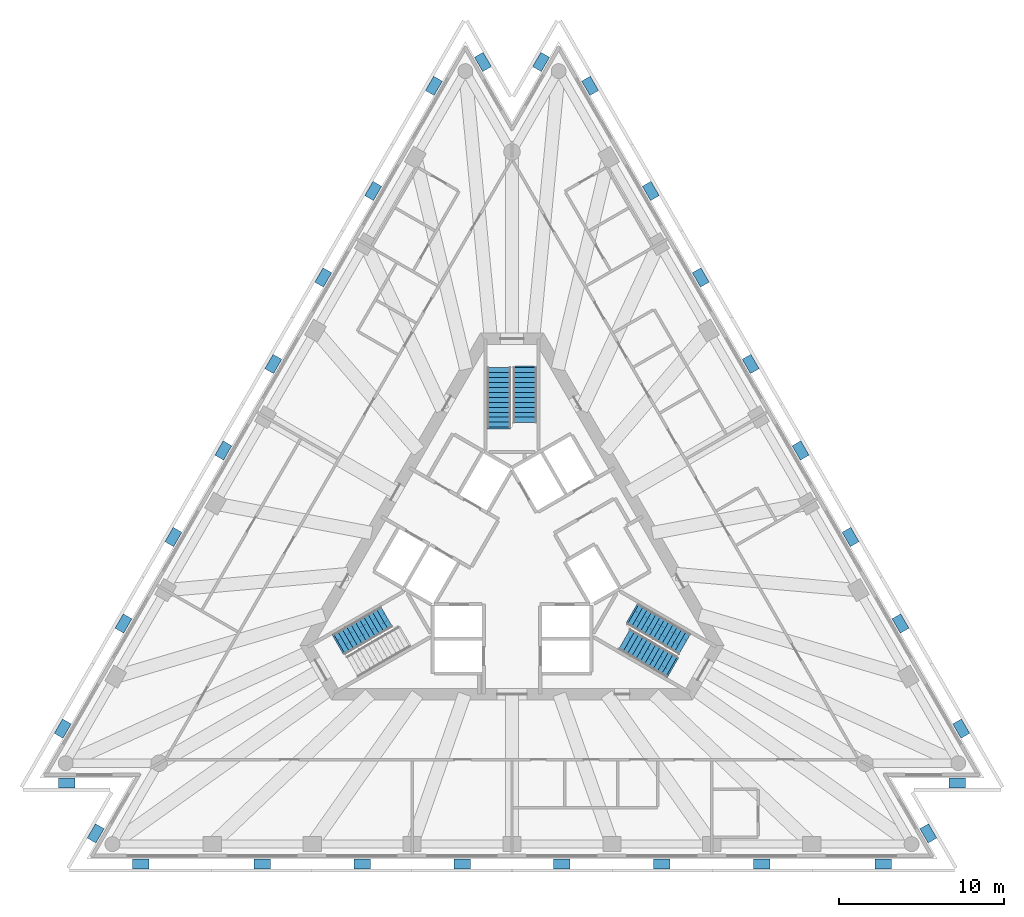
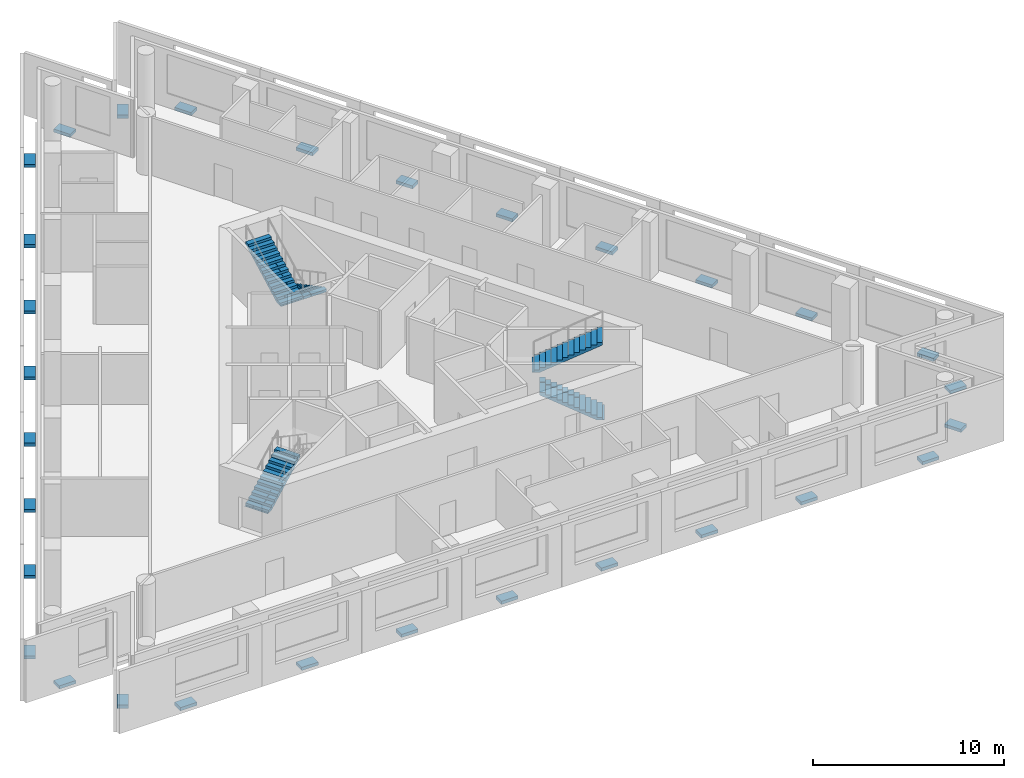
# One storey, part 7 of 9: 30 discrete accessories, 5 stair flights, 3 elements without a shape of their own.
"""IFC4 building model written with IfcOpenShell, lengths in metres."""

import ifcopenshell
import ifcopenshell.guid

model = None  # the IFC model being written
_history = None  # IfcOwnerHistory: only IFC2X3 demands one
_inside = {}  # id of a spatial element -> (the spatial element, [elements in it])
_under = {}  # id of a project, library or spatial element -> (it, [spatial elements below it])
_declared = {}  # id of a project -> (the project, [libraries it declares])
_typed = {}  # id of a type object -> (the type object, [elements of that type])
_made_of = {}  # id of a material, layer set ... -> (it, [elements and type objects made of it])


def new_model(schema):
    """Start an empty IFC model of exactly this schema.

    Asked for "IFC4X3", IfcOpenShell would pick the latest addendum, in which some entities
    have other attributes; the version numbers below select the first issue.
    IFC2X3 requires an IfcOwnerHistory on every rooted entity: one is made here for all.
    """
    global model, _history
    if schema == "IFC4X3":
        model = ifcopenshell.file(schema_version=(4, 3, 0, 0))
    else:
        model = ifcopenshell.file(schema=schema)
    _inside.clear()
    _under.clear()
    _declared.clear()
    _typed.clear()
    _made_of.clear()
    _history = None
    if model.schema == "IFC2X3":
        org = make("IfcOrganization", Name="unknown")
        user = make(
            "IfcPersonAndOrganization",
            ThePerson=make("IfcPerson", FamilyName="unknown"),
            TheOrganization=org,
        )
        app = make(
            "IfcApplication",
            ApplicationDeveloper=org,
            Version="unknown",
            ApplicationFullName="unknown",
            ApplicationIdentifier="unknown",
        )
        _history = make(
            "IfcOwnerHistory",
            OwningUser=user,
            OwningApplication=app,
            ChangeAction="ADDED",
            CreationDate=0,
        )
    return model


def make(cls, **values):
    """One entity of the class cls with the attributes given. An attribute that is None is left unset."""
    return model.create_entity(
        cls, **{name: value for name, value in values.items() if value is not None}
    )


def rooted(cls, **values):
    """An entity with a GlobalId (a new one), such as an element, a storey or a relation."""
    return make(cls, GlobalId=ifcopenshell.guid.new(), OwnerHistory=_history, **values)


def si_unit(unit_type, name, prefix=None):
    """IfcSIUnit, for example si_unit("LENGTHUNIT", "METRE", prefix="MILLI")."""
    return make("IfcSIUnit", UnitType=unit_type, Prefix=prefix, Name=name)


def assignment(units):
    """IfcUnitAssignment: the units of a project."""
    return None if units is None else make("IfcUnitAssignment", Units=units)


def point(xyz):
    """IfcCartesianPoint."""
    return None if xyz is None else make("IfcCartesianPoint", Coordinates=xyz)


def direction(xyz):
    """IfcDirection."""
    return None if xyz is None else make("IfcDirection", DirectionRatios=xyz)


def frame(location, z_axis=None, x_axis=None):
    """IfcAxis2Placement3D, a coordinate frame: its origin and axes. An axis left out is left unset."""
    return make(
        "IfcAxis2Placement3D",
        Location=point(location),
        Axis=direction(z_axis),
        RefDirection=direction(x_axis),
    )


def frame_2d(location, x_axis=None):
    """IfcAxis2Placement2D, a coordinate frame in the plane: its origin and x axis."""
    return make(
        "IfcAxis2Placement2D", Location=point(location), RefDirection=direction(x_axis)
    )


def origin():
    """The frame at (0, 0, 0) with its axes left unset."""
    return frame((0.0, 0.0, 0.0))


def origin_2d():
    """The frame at (0, 0) in the plane with its x axis left unset."""
    return frame_2d((0.0, 0.0))


def place(relative_to, where):
    """IfcLocalPlacement: puts the frame where relative to a parent placement (None: the world)."""
    return make(
        "IfcLocalPlacement", PlacementRelTo=relative_to, RelativePlacement=where
    )


def context(
    kind, dimensions, precision=None, world=None, true_north=None, identifier=None
):
    """IfcGeometricRepresentationContext, for example the 3D "Model" context."""
    return make(
        "IfcGeometricRepresentationContext",
        ContextIdentifier=identifier,
        ContextType=kind,
        CoordinateSpaceDimension=dimensions,
        Precision=precision,
        WorldCoordinateSystem=world,
        TrueNorth=true_north,
    )


def subcontext(parent, identifier, kind, view, scale=None):
    """IfcGeometricRepresentationSubContext, for example "Body" below "Model"."""
    return make(
        "IfcGeometricRepresentationSubContext",
        ContextIdentifier=identifier,
        ContextType=kind,
        ParentContext=parent,
        TargetScale=scale,
        TargetView=view,
    )


def project(units=None, contexts=None):
    """IfcProject with its units and contexts."""
    return rooted(
        "IfcProject",
        Name="project",
        RepresentationContexts=contexts,
        UnitsInContext=assignment(units),
    )


def spatial(cls, under=None, at=None, **own):
    """A site, building, storey or space (cls), placed at a placement, below another one or the project."""
    s = rooted(cls, ObjectPlacement=at, **own)
    if under is not None:
        _under.setdefault(under.id(), (under, []))[1].append(s)
    return s


def polyline(points):
    """IfcPolyline through the points."""
    return make("IfcPolyline", Points=[point(p) for p in points])


def profile(cls, at=None, kind="AREA", **sizes):
    """A parametric profile (cls). Its sizes go by their IFC names, for example OverallWidth=200.0."""
    return make(cls, ProfileType=kind, Position=at, **sizes)


def rectangle(**sizes):
    """IfcRectangleProfileDef."""
    return profile("IfcRectangleProfileDef", **sizes)


def outline(outer, holes=None, kind="AREA"):
    """IfcArbitraryClosedProfileDef: a profile drawn as a closed curve; with holes, ...WithVoids."""
    if holes is None:
        return make("IfcArbitraryClosedProfileDef", ProfileType=kind, OuterCurve=outer)
    return make(
        "IfcArbitraryProfileDefWithVoids",
        ProfileType=kind,
        OuterCurve=outer,
        InnerCurves=holes,
    )


def extrude(swept, where, along, depth):
    """IfcExtrudedAreaSolid: the profile swept, set in the frame where, extruded along a direction by depth."""
    return make(
        "IfcExtrudedAreaSolid",
        SweptArea=swept,
        Position=where,
        ExtrudedDirection=direction(along),
        Depth=depth,
    )


def shape(context_of_items, identifier, shape_type, items):
    """IfcShapeRepresentation: the items that make up one representation, for example the "Body"."""
    return make(
        "IfcShapeRepresentation",
        ContextOfItems=context_of_items,
        RepresentationIdentifier=identifier,
        RepresentationType=shape_type,
        Items=items,
    )


def material(Name=None, Category=None):
    """IfcMaterial."""
    return make("IfcMaterial", Name=Name, Category=Category)


def made_of(thing, what):
    """Note that an element or type object is made of a material, layer set ...; save() writes the relation."""
    if what is not None:
        _made_of.setdefault(what.id(), (what, []))[1].append(thing)
    return thing


def type_object(cls, material=None, **own):
    """A type object (cls), such as IfcWallType, which elements share."""
    return made_of(rooted(cls, **own), material)


def element(
    cls,
    number,
    at=None,
    inside=None,
    cuts=None,
    type_object=None,
    material=None,
    context=None,
    identifier="Body",
    shape_type=None,
    held_by="IfcProductDefinitionShape",
    body=None,
    shapes=None,
    **own,
):
    """One element of the class cls, such as IfcWall. Its Tag is "e" and its number.

    at: its placement. inside: the storey or other place that contains it. cuts: it is an
    opening in that element (IfcRelVoidsElement). A single representation is given by context,
    identifier, shape_type and body (its items); several are given by shapes. held_by: the class
    of the entity that holds the representations. save() writes the other relations.
    """
    e = rooted(cls, Tag="e%d" % number, ObjectPlacement=at, **own)
    if body is not None:
        shapes = [shape(context, identifier, shape_type, body)]
    if shapes is not None:
        e.Representation = make(held_by, Representations=shapes)
    if inside is not None:
        _inside.setdefault(inside.id(), (inside, []))[1].append(e)
    if cuts is not None:
        rooted(
            "IfcRelVoidsElement", RelatingBuildingElement=cuts, RelatedOpeningElement=e
        )
    if type_object is not None:
        _typed.setdefault(type_object.id(), (type_object, []))[1].append(e)
    return made_of(e, material)


def aggregate(whole, parts):
    """IfcRelAggregates: a whole, such as a stair, and the parts it consists of."""
    return rooted("IfcRelAggregates", RelatingObject=whole, RelatedObjects=parts)


def save(model, path):
    """Write the relations noted so far, then the file.

    IfcRelAggregates (storeys below a building ...), IfcRelContainedInSpatialStructure (elements
    in a storey), IfcRelDefinesByType, IfcRelAssociatesMaterial and IfcRelDeclares: one each for
    every whole, place, type object, material and project.
    """
    for whole, parts in _under.values():
        aggregate(whole, parts)
    for where, things in _inside.values():
        rooted(
            "IfcRelContainedInSpatialStructure",
            RelatedElements=things,
            RelatingStructure=where,
        )
    for kind, things in _typed.values():
        rooted("IfcRelDefinesByType", RelatedObjects=things, RelatingType=kind)
    for what, things in _made_of.values():
        rooted("IfcRelAssociatesMaterial", RelatedObjects=things, RelatingMaterial=what)
    for by, libraries in _declared.values():
        rooted("IfcRelDeclares", RelatingContext=by, RelatedDefinitions=libraries)
    model.write(path)


model = new_model("IFC4")

# Units and contexts
model_context = context("Model", 3, precision=1e-05, world=origin(), true_north=direction((0.0, 1.0)))
body_context = subcontext(model_context, "Body", "Model", "MODEL_VIEW")
ifc_project = project(units=[si_unit("LENGTHUNIT", "METRE"), si_unit("AREAUNIT", "SQUARE_METRE"), si_unit("VOLUMEUNIT", "CUBIC_METRE"), si_unit("PLANEANGLEUNIT", "RADIAN"), si_unit("MASSUNIT", "GRAM", prefix="KILO")], contexts=[model_context])

# Site, building, storey
site_placement = place(None, origin())
site = spatial("IfcSite", under=ifc_project, at=site_placement, CompositionType="ELEMENT")
building_placement = place(site_placement, origin())
building = spatial("IfcBuilding", under=site, at=building_placement, Name="Triada Interchange Tower", CompositionType="ELEMENT")
storey_placement = place(building_placement, frame((0.0, 0.0, 219.300048828125)))
storey = spatial("IfcBuildingStorey", under=building, at=storey_placement, Name="L51", CompositionType="ELEMENT", Elevation=219.300048828125)

# Stair, stair flights
ifc_material_1 = material(Name="Concrete C35/45", Category="concrete")
stair_type = type_object("IfcStairType", Name="HALF TURN STAIR 1400", PredefinedType="HALF_TURN_STAIR", material=ifc_material_1)
stair_1_placement = place(storey_placement, origin())
stair_1 = element("IfcStair", 1, at=stair_1_placement, inside=storey, type_object=stair_type, Name="Exit stair S50-1", PredefinedType="HALF_TURN_STAIR")
stair_flight_type = type_object("IfcStairFlightType", Name="STRAIGHT STAIR FLIGHT 1400", PredefinedType="STRAIGHT", material=ifc_material_1)
stair_flight_1_placement = place(storey_placement, frame((0.800048828125, 11.60009765625, 0.0), z_axis=(0.0, 0.0, 1.0), x_axis=(0.0, -1.0, 0.0)))
stair_flight_1 = element("IfcStairFlight", 2, at=stair_flight_1_placement, type_object=stair_flight_type, Name="S50-1 flight 1", NumberOfRisers=12, NumberOfTreads=11, PredefinedType="STRAIGHT", RiserHeight=0.16, TreadLength=0.3, context=body_context, shape_type="SweptSolid", body=[
    extrude(outline(polyline([(-0.10009765625, 0.0), (-0.10009765625, 0.02001953125), (0.0, 0.02001953125), (0.0, 0.159912109375), (0.300048828125, 0.159912109375), (0.300048828125, 0.320068359375), (0.60009765625, 0.320068359375), (0.60009765625, 0.47998046875), (0.89990234375, 0.47998046875), (0.89990234375, 0.639892578125), (1.199951171875, 0.639892578125), (1.199951171875, 0.800048828125), (1.5, 0.800048828125), (1.5, 0.9599609375), (1.800048828125, 0.9599609375), (1.800048828125, 1.1201171875), (2.10009765625, 1.1201171875), (2.10009765625, 1.280029296875), (2.39990234375, 1.280029296875), (2.39990234375, 1.43994140625), (2.699951171875, 1.43994140625), (2.699951171875, 1.60009765625), (3.0, 1.60009765625), (3.0, 1.760009765625), (3.300048828125, 1.760009765625), (3.303955078125, 1.760009765625), (3.303955078125, 1.919921875), (3.303955078125, 1.590087890625), (0.318603515625, 0.0), (-0.10009765625, 0.0)])), frame((0.0, 0.699951171875, 0.0), z_axis=(0.0, -1.0, 0.0), x_axis=(1.0, 0.0, 0.0)), (0.0, 0.0, 1.0), 0.46533203125),
    extrude(outline(polyline([(-0.10009765625, 0.0), (-0.10009765625, 0.02001953125), (0.0, 0.02001953125), (0.0, 0.159912109375), (0.300048828125, 0.159912109375), (0.300048828125, 0.320068359375), (0.60009765625, 0.320068359375), (0.60009765625, 0.47998046875), (0.89990234375, 0.47998046875), (0.89990234375, 0.639892578125), (1.199951171875, 0.639892578125), (1.199951171875, 0.800048828125), (1.5, 0.800048828125), (1.5, 0.9599609375), (1.800048828125, 0.9599609375), (1.800048828125, 1.1201171875), (2.10009765625, 1.1201171875), (2.10009765625, 1.280029296875), (2.39990234375, 1.280029296875), (2.39990234375, 1.43994140625), (2.699951171875, 1.43994140625), (2.699951171875, 1.60009765625), (3.0, 1.60009765625), (3.0, 1.760009765625), (3.300048828125, 1.760009765625), (3.303955078125, 1.760009765625), (3.303955078125, 1.919921875), (3.303955078125, 1.590087890625), (0.318603515625, 0.0), (-0.10009765625, 0.0)])), frame((0.0, 0.232666015625, 0.0), z_axis=(0.0, -1.0, 0.0), x_axis=(1.0, 0.0, 0.0)), (0.0, 0.0, 1.0), 0.46533203125),
    extrude(outline(polyline([(-0.10009765625, 0.0), (-0.10009765625, 0.02001953125), (0.0, 0.02001953125), (0.0, 0.159912109375), (0.300048828125, 0.159912109375), (0.300048828125, 0.320068359375), (0.60009765625, 0.320068359375), (0.60009765625, 0.47998046875), (0.89990234375, 0.47998046875), (0.89990234375, 0.639892578125), (1.199951171875, 0.639892578125), (1.199951171875, 0.800048828125), (1.5, 0.800048828125), (1.5, 0.9599609375), (1.800048828125, 0.9599609375), (1.800048828125, 1.1201171875), (2.10009765625, 1.1201171875), (2.10009765625, 1.280029296875), (2.39990234375, 1.280029296875), (2.39990234375, 1.43994140625), (2.699951171875, 1.43994140625), (2.699951171875, 1.60009765625), (3.0, 1.60009765625), (3.0, 1.760009765625), (3.300048828125, 1.760009765625), (3.303955078125, 1.760009765625), (3.303955078125, 1.919921875), (3.303955078125, 1.590087890625), (0.318603515625, 0.0), (-0.10009765625, 0.0)])), frame((0.0, -0.234619140625, 0.0), z_axis=(0.0, -1.0, 0.0), x_axis=(1.0, 0.0, 0.0)), (0.0, 0.0, 1.0), 0.46533203125),
])
stair_flight_2_placement = place(storey_placement, frame((-0.800048828125, 8.0, 1.919921875), z_axis=(0.0, 0.0, 1.0), x_axis=(0.0, 1.0, 0.0)))
stair_flight_2 = element("IfcStairFlight", 3, at=stair_flight_2_placement, type_object=stair_flight_type, Name="S50-1 flight 2", NumberOfRisers=13, NumberOfTreads=12, PredefinedType="STRAIGHT", RiserHeight=0.16, TreadLength=0.3, context=body_context, shape_type="SweptSolid", body=[
    extrude(outline(polyline([(-0.10009765625, 0.0), (-0.10009765625, 0.02001953125), (0.0, 0.02001953125), (0.0, 0.159912109375), (0.300048828125, 0.159912109375), (0.300048828125, 0.320068359375), (0.60009765625, 0.320068359375), (0.60009765625, 0.47998046875), (0.89990234375, 0.47998046875), (0.89990234375, 0.639892578125), (1.199951171875, 0.639892578125), (1.199951171875, 0.800048828125), (1.5, 0.800048828125), (1.5, 0.9599609375), (1.800048828125, 0.9599609375), (1.800048828125, 1.1201171875), (2.10009765625, 1.1201171875), (2.10009765625, 1.280029296875), (2.39990234375, 1.280029296875), (2.39990234375, 1.43994140625), (2.699951171875, 1.43994140625), (2.699951171875, 1.60009765625), (3.0, 1.60009765625), (3.0, 1.760009765625), (3.300048828125, 1.760009765625), (3.300048828125, 1.919921875), (3.60009765625, 1.919921875), (3.60400390625, 1.919921875), (3.60400390625, 2.080078125), (3.60400390625, 1.75), (0.318603515625, 0.0), (-0.10009765625, 0.0)])), frame((0.0, 0.699951171875, 0.0), z_axis=(0.0, -1.0, 0.0), x_axis=(1.0, 0.0, 0.0)), (0.0, 0.0, 1.0), 0.46533203125),
    extrude(outline(polyline([(-0.10009765625, 0.0), (-0.10009765625, 0.02001953125), (0.0, 0.02001953125), (0.0, 0.159912109375), (0.300048828125, 0.159912109375), (0.300048828125, 0.320068359375), (0.60009765625, 0.320068359375), (0.60009765625, 0.47998046875), (0.89990234375, 0.47998046875), (0.89990234375, 0.639892578125), (1.199951171875, 0.639892578125), (1.199951171875, 0.800048828125), (1.5, 0.800048828125), (1.5, 0.9599609375), (1.800048828125, 0.9599609375), (1.800048828125, 1.1201171875), (2.10009765625, 1.1201171875), (2.10009765625, 1.280029296875), (2.39990234375, 1.280029296875), (2.39990234375, 1.43994140625), (2.699951171875, 1.43994140625), (2.699951171875, 1.60009765625), (3.0, 1.60009765625), (3.0, 1.760009765625), (3.300048828125, 1.760009765625), (3.300048828125, 1.919921875), (3.60009765625, 1.919921875), (3.60400390625, 1.919921875), (3.60400390625, 2.080078125), (3.60400390625, 1.75), (0.318603515625, 0.0), (-0.10009765625, 0.0)])), frame((0.0, 0.232666015625, 0.0), z_axis=(0.0, -1.0, 0.0), x_axis=(1.0, 0.0, 0.0)), (0.0, 0.0, 1.0), 0.46533203125),
    extrude(outline(polyline([(-0.10009765625, 0.0), (-0.10009765625, 0.02001953125), (0.0, 0.02001953125), (0.0, 0.159912109375), (0.300048828125, 0.159912109375), (0.300048828125, 0.320068359375), (0.60009765625, 0.320068359375), (0.60009765625, 0.47998046875), (0.89990234375, 0.47998046875), (0.89990234375, 0.639892578125), (1.199951171875, 0.639892578125), (1.199951171875, 0.800048828125), (1.5, 0.800048828125), (1.5, 0.9599609375), (1.800048828125, 0.9599609375), (1.800048828125, 1.1201171875), (2.10009765625, 1.1201171875), (2.10009765625, 1.280029296875), (2.39990234375, 1.280029296875), (2.39990234375, 1.43994140625), (2.699951171875, 1.43994140625), (2.699951171875, 1.60009765625), (3.0, 1.60009765625), (3.0, 1.760009765625), (3.300048828125, 1.760009765625), (3.300048828125, 1.919921875), (3.60009765625, 1.919921875), (3.60400390625, 1.919921875), (3.60400390625, 2.080078125), (3.60400390625, 1.75), (0.318603515625, 0.0), (-0.10009765625, 0.0)])), frame((0.0, -0.234619140625, 0.0), z_axis=(0.0, -1.0, 0.0), x_axis=(1.0, 0.0, 0.0)), (0.0, 0.0, 1.0), 0.46533203125),
])
aggregate(stair_1, [stair_flight_1, stair_flight_2])

# Stair, stair flight
stair_2_placement = place(storey_placement, origin())
stair_2 = element("IfcStair", 4, at=stair_2_placement, inside=storey, type_object=stair_type, Name="Exit stair S50-2", PredefinedType="HALF_TURN_STAIR")
stair_flight_3_placement = place(storey_placement, frame((-10.446044921875, -5.10693359375, 0.0), z_axis=(0.0, 0.0, 1.0), x_axis=(0.866025403784, 0.5, 0.0)))
stair_flight_3 = element("IfcStairFlight", 5, at=stair_flight_3_placement, type_object=stair_flight_type, Name="S50-2 flight 1", NumberOfRisers=12, NumberOfTreads=11, PredefinedType="STRAIGHT", RiserHeight=0.16, TreadLength=0.3, context=body_context, shape_type="SweptSolid", body=[
    extrude(outline(polyline([(-0.10009765625, 0.0), (-0.10009765625, 0.02001953125), (0.0, 0.02001953125), (0.0, 0.159912109375), (0.300048828125, 0.159912109375), (0.300048828125, 0.320068359375), (0.60009765625, 0.320068359375), (0.60009765625, 0.47998046875), (0.89990234375, 0.47998046875), (0.89990234375, 0.639892578125), (1.199951171875, 0.639892578125), (1.199951171875, 0.800048828125), (1.5, 0.800048828125), (1.5, 0.9599609375), (1.800048828125, 0.9599609375), (1.800048828125, 1.1201171875), (2.10009765625, 1.1201171875), (2.10009765625, 1.280029296875), (2.39990234375, 1.280029296875), (2.39990234375, 1.43994140625), (2.699951171875, 1.43994140625), (2.699951171875, 1.60009765625), (3.0, 1.60009765625), (3.0, 1.760009765625), (3.300048828125, 1.760009765625), (3.303955078125, 1.760009765625), (3.303955078125, 1.919921875), (3.303955078125, 1.590087890625), (0.318603515625, 0.0), (-0.10009765625, 0.0)])), frame((0.0, 0.699951171875, 0.0), z_axis=(0.0, -1.0, 0.0), x_axis=(1.0, 0.0, 0.0)), (0.0, 0.0, 1.0), 0.46533203125),
    extrude(outline(polyline([(-0.10009765625, 0.0), (-0.10009765625, 0.02001953125), (0.0, 0.02001953125), (0.0, 0.159912109375), (0.300048828125, 0.159912109375), (0.300048828125, 0.320068359375), (0.60009765625, 0.320068359375), (0.60009765625, 0.47998046875), (0.89990234375, 0.47998046875), (0.89990234375, 0.639892578125), (1.199951171875, 0.639892578125), (1.199951171875, 0.800048828125), (1.5, 0.800048828125), (1.5, 0.9599609375), (1.800048828125, 0.9599609375), (1.800048828125, 1.1201171875), (2.10009765625, 1.1201171875), (2.10009765625, 1.280029296875), (2.39990234375, 1.280029296875), (2.39990234375, 1.43994140625), (2.699951171875, 1.43994140625), (2.699951171875, 1.60009765625), (3.0, 1.60009765625), (3.0, 1.760009765625), (3.300048828125, 1.760009765625), (3.303955078125, 1.760009765625), (3.303955078125, 1.919921875), (3.303955078125, 1.590087890625), (0.318603515625, 0.0), (-0.10009765625, 0.0)])), frame((0.0, 0.232666015625, 0.0), z_axis=(0.0, -1.0, 0.0), x_axis=(1.0, 0.0, 0.0)), (0.0, 0.0, 1.0), 0.46533203125),
    extrude(outline(polyline([(-0.10009765625, 0.0), (-0.10009765625, 0.02001953125), (0.0, 0.02001953125), (0.0, 0.159912109375), (0.300048828125, 0.159912109375), (0.300048828125, 0.320068359375), (0.60009765625, 0.320068359375), (0.60009765625, 0.47998046875), (0.89990234375, 0.47998046875), (0.89990234375, 0.639892578125), (1.199951171875, 0.639892578125), (1.199951171875, 0.800048828125), (1.5, 0.800048828125), (1.5, 0.9599609375), (1.800048828125, 0.9599609375), (1.800048828125, 1.1201171875), (2.10009765625, 1.1201171875), (2.10009765625, 1.280029296875), (2.39990234375, 1.280029296875), (2.39990234375, 1.43994140625), (2.699951171875, 1.43994140625), (2.699951171875, 1.60009765625), (3.0, 1.60009765625), (3.0, 1.760009765625), (3.300048828125, 1.760009765625), (3.303955078125, 1.760009765625), (3.303955078125, 1.919921875), (3.303955078125, 1.590087890625), (0.318603515625, 0.0), (-0.10009765625, 0.0)])), frame((0.0, -0.234619140625, 0.0), z_axis=(0.0, -1.0, 0.0), x_axis=(1.0, 0.0, 0.0)), (0.0, 0.0, 1.0), 0.46533203125),
])
aggregate(stair_2, [stair_flight_3])

# Stair, stair flights
stair_3_placement = place(storey_placement, origin())
stair_3 = element("IfcStair", 6, at=stair_3_placement, inside=storey, type_object=stair_type, Name="Exit stair S50-3", PredefinedType="HALF_TURN_STAIR")
stair_flight_4_placement = place(storey_placement, frame((9.64599609375, -6.492919921875, 0.0), z_axis=(0.0, 0.0, 1.0), x_axis=(-0.866025403784, 0.5, 0.0)))
stair_flight_4 = element("IfcStairFlight", 7, at=stair_flight_4_placement, type_object=stair_flight_type, Name="S50-3 flight 1", NumberOfRisers=12, NumberOfTreads=11, PredefinedType="STRAIGHT", RiserHeight=0.16, TreadLength=0.3, context=body_context, shape_type="SweptSolid", body=[
    extrude(outline(polyline([(-0.10009765625, 0.0), (-0.10009765625, 0.02001953125), (0.0, 0.02001953125), (0.0, 0.159912109375), (0.300048828125, 0.159912109375), (0.300048828125, 0.320068359375), (0.60009765625, 0.320068359375), (0.60009765625, 0.47998046875), (0.89990234375, 0.47998046875), (0.89990234375, 0.639892578125), (1.199951171875, 0.639892578125), (1.199951171875, 0.800048828125), (1.5, 0.800048828125), (1.5, 0.9599609375), (1.800048828125, 0.9599609375), (1.800048828125, 1.1201171875), (2.10009765625, 1.1201171875), (2.10009765625, 1.280029296875), (2.39990234375, 1.280029296875), (2.39990234375, 1.43994140625), (2.699951171875, 1.43994140625), (2.699951171875, 1.60009765625), (3.0, 1.60009765625), (3.0, 1.760009765625), (3.300048828125, 1.760009765625), (3.303955078125, 1.760009765625), (3.303955078125, 1.919921875), (3.303955078125, 1.590087890625), (0.318603515625, 0.0), (-0.10009765625, 0.0)])), frame((0.0, 0.699951171875, 0.0), z_axis=(0.0, -1.0, 0.0), x_axis=(1.0, 0.0, 0.0)), (0.0, 0.0, 1.0), 0.46533203125),
    extrude(outline(polyline([(-0.10009765625, 0.0), (-0.10009765625, 0.02001953125), (0.0, 0.02001953125), (0.0, 0.159912109375), (0.300048828125, 0.159912109375), (0.300048828125, 0.320068359375), (0.60009765625, 0.320068359375), (0.60009765625, 0.47998046875), (0.89990234375, 0.47998046875), (0.89990234375, 0.639892578125), (1.199951171875, 0.639892578125), (1.199951171875, 0.800048828125), (1.5, 0.800048828125), (1.5, 0.9599609375), (1.800048828125, 0.9599609375), (1.800048828125, 1.1201171875), (2.10009765625, 1.1201171875), (2.10009765625, 1.280029296875), (2.39990234375, 1.280029296875), (2.39990234375, 1.43994140625), (2.699951171875, 1.43994140625), (2.699951171875, 1.60009765625), (3.0, 1.60009765625), (3.0, 1.760009765625), (3.300048828125, 1.760009765625), (3.303955078125, 1.760009765625), (3.303955078125, 1.919921875), (3.303955078125, 1.590087890625), (0.318603515625, 0.0), (-0.10009765625, 0.0)])), frame((0.0, 0.232666015625, 0.0), z_axis=(0.0, -1.0, 0.0), x_axis=(1.0, 0.0, 0.0)), (0.0, 0.0, 1.0), 0.46533203125),
    extrude(outline(polyline([(-0.10009765625, 0.0), (-0.10009765625, 0.02001953125), (0.0, 0.02001953125), (0.0, 0.159912109375), (0.300048828125, 0.159912109375), (0.300048828125, 0.320068359375), (0.60009765625, 0.320068359375), (0.60009765625, 0.47998046875), (0.89990234375, 0.47998046875), (0.89990234375, 0.639892578125), (1.199951171875, 0.639892578125), (1.199951171875, 0.800048828125), (1.5, 0.800048828125), (1.5, 0.9599609375), (1.800048828125, 0.9599609375), (1.800048828125, 1.1201171875), (2.10009765625, 1.1201171875), (2.10009765625, 1.280029296875), (2.39990234375, 1.280029296875), (2.39990234375, 1.43994140625), (2.699951171875, 1.43994140625), (2.699951171875, 1.60009765625), (3.0, 1.60009765625), (3.0, 1.760009765625), (3.300048828125, 1.760009765625), (3.303955078125, 1.760009765625), (3.303955078125, 1.919921875), (3.303955078125, 1.590087890625), (0.318603515625, 0.0), (-0.10009765625, 0.0)])), frame((0.0, -0.234619140625, 0.0), z_axis=(0.0, -1.0, 0.0), x_axis=(1.0, 0.0, 0.0)), (0.0, 0.0, 1.0), 0.46533203125),
])
stair_flight_5_placement = place(storey_placement, frame((7.327880859375, -3.306884765625, 1.919921875), z_axis=(0.0, 0.0, 1.0), x_axis=(0.866025403784, -0.5, 0.0)))
stair_flight_5 = element("IfcStairFlight", 8, at=stair_flight_5_placement, type_object=stair_flight_type, Name="S50-3 flight 2", NumberOfRisers=13, NumberOfTreads=12, PredefinedType="STRAIGHT", RiserHeight=0.16, TreadLength=0.3, context=body_context, shape_type="SweptSolid", body=[
    extrude(outline(polyline([(-0.10009765625, 0.0), (-0.10009765625, 0.02001953125), (0.0, 0.02001953125), (0.0, 0.159912109375), (0.300048828125, 0.159912109375), (0.300048828125, 0.320068359375), (0.60009765625, 0.320068359375), (0.60009765625, 0.47998046875), (0.89990234375, 0.47998046875), (0.89990234375, 0.639892578125), (1.199951171875, 0.639892578125), (1.199951171875, 0.800048828125), (1.5, 0.800048828125), (1.5, 0.9599609375), (1.800048828125, 0.9599609375), (1.800048828125, 1.1201171875), (2.10009765625, 1.1201171875), (2.10009765625, 1.280029296875), (2.39990234375, 1.280029296875), (2.39990234375, 1.43994140625), (2.699951171875, 1.43994140625), (2.699951171875, 1.60009765625), (3.0, 1.60009765625), (3.0, 1.760009765625), (3.300048828125, 1.760009765625), (3.300048828125, 1.919921875), (3.60009765625, 1.919921875), (3.60400390625, 1.919921875), (3.60400390625, 2.080078125), (3.60400390625, 1.75), (0.318603515625, 0.0), (-0.10009765625, 0.0)])), frame((0.0, 0.699951171875, 0.0), z_axis=(0.0, -1.0, 0.0), x_axis=(1.0, 0.0, 0.0)), (0.0, 0.0, 1.0), 0.46533203125),
    extrude(outline(polyline([(-0.10009765625, 0.0), (-0.10009765625, 0.02001953125), (0.0, 0.02001953125), (0.0, 0.159912109375), (0.300048828125, 0.159912109375), (0.300048828125, 0.320068359375), (0.60009765625, 0.320068359375), (0.60009765625, 0.47998046875), (0.89990234375, 0.47998046875), (0.89990234375, 0.639892578125), (1.199951171875, 0.639892578125), (1.199951171875, 0.800048828125), (1.5, 0.800048828125), (1.5, 0.9599609375), (1.800048828125, 0.9599609375), (1.800048828125, 1.1201171875), (2.10009765625, 1.1201171875), (2.10009765625, 1.280029296875), (2.39990234375, 1.280029296875), (2.39990234375, 1.43994140625), (2.699951171875, 1.43994140625), (2.699951171875, 1.60009765625), (3.0, 1.60009765625), (3.0, 1.760009765625), (3.300048828125, 1.760009765625), (3.300048828125, 1.919921875), (3.60009765625, 1.919921875), (3.60400390625, 1.919921875), (3.60400390625, 2.080078125), (3.60400390625, 1.75), (0.318603515625, 0.0), (-0.10009765625, 0.0)])), frame((0.0, 0.232666015625, 0.0), z_axis=(0.0, -1.0, 0.0), x_axis=(1.0, 0.0, 0.0)), (0.0, 0.0, 1.0), 0.46533203125),
    extrude(outline(polyline([(-0.10009765625, 0.0), (-0.10009765625, 0.02001953125), (0.0, 0.02001953125), (0.0, 0.159912109375), (0.300048828125, 0.159912109375), (0.300048828125, 0.320068359375), (0.60009765625, 0.320068359375), (0.60009765625, 0.47998046875), (0.89990234375, 0.47998046875), (0.89990234375, 0.639892578125), (1.199951171875, 0.639892578125), (1.199951171875, 0.800048828125), (1.5, 0.800048828125), (1.5, 0.9599609375), (1.800048828125, 0.9599609375), (1.800048828125, 1.1201171875), (2.10009765625, 1.1201171875), (2.10009765625, 1.280029296875), (2.39990234375, 1.280029296875), (2.39990234375, 1.43994140625), (2.699951171875, 1.43994140625), (2.699951171875, 1.60009765625), (3.0, 1.60009765625), (3.0, 1.760009765625), (3.300048828125, 1.760009765625), (3.300048828125, 1.919921875), (3.60009765625, 1.919921875), (3.60400390625, 1.919921875), (3.60400390625, 2.080078125), (3.60400390625, 1.75), (0.318603515625, 0.0), (-0.10009765625, 0.0)])), frame((0.0, -0.234619140625, 0.0), z_axis=(0.0, -1.0, 0.0), x_axis=(1.0, 0.0, 0.0)), (0.0, 0.0, 1.0), 0.46533203125),
])
aggregate(stair_3, [stair_flight_4, stair_flight_5])

# Discrete accessories
ifc_material_2 = material(Name="Steel S355", Category="steel")
discrete_accessory_type = type_object("IfcDiscreteAccessoryType", Name="Steel bracket outer skin", PredefinedType="BRACKET", material=ifc_material_2)
for number, where, z_axis, x_axis, name in (
    (9, (-4.722900390625, 28.638916015625, -0.27001953125), (0.0, 0.0, 1.0), (-0.866025019812, 0.50000066506, 0.0), "Bracket L51 01"),
    (10, (-8.39306640625, 22.282958984375, -0.27001953125), (0.0, 0.0, 1.0), (-0.866025019812, 0.50000066506, 0.0), "Bracket L51 02"),
    (11, (-11.4130859375, 17.052001953125, -0.27001953125), (0.0, 0.0, 1.0), (-0.866025019812, 0.50000066506, 0.0), "Bracket L51 03"),
    (12, (-14.43310546875, 11.821044921875, -0.27001953125), (0.0, 0.0, 1.0), (-0.866025019812, 0.50000066506, 0.0), "Bracket L51 04"),
    (13, (-17.452880859375, 6.589111328125, -0.27001953125), (0.0, 0.0, 1.0), (-0.866025019812, 0.50000066506, 0.0), "Bracket L51 05"),
    (14, (-20.47412109375, 1.35791015625, -0.27001953125), (0.0, 0.0, 1.0), (-0.866025019812, 0.50000066506, 0.0), "Bracket L51 06"),
    (15, (-23.493896484375, -3.873046875, -0.27001953125), (0.0, 0.0, 1.0), (-0.866025019812, 0.50000066506, 0.0), "Bracket L51 07"),
    (16, (-27.1640625, -10.22900390625, -0.27001953125), (0.0, 0.0, 1.0), (-0.866025019812, 0.50000066506, 0.0), "Bracket L51 08"),
    (17, (-26.93408203125, -13.52001953125, -0.27001953125), (0.0, 0.0, 1.0), (0.0, -1.0, 0.0), "Bracket L51 09"),
    (18, (-25.175048828125, -16.56494140625, -0.27001953125), (0.0, 0.0, 1.0), (-0.866044025847, 0.499967744255, 0.0), "Bracket L51 10"),
    (19, (-22.44091796875, -18.409912109375, -0.27001953125), (0.0, 0.0, 1.0), (0.0, -1.0, 0.0), "Bracket L51 11"),
    (20, (-15.10107421875, -18.409912109375, -0.27001953125), (0.0, 0.0, 1.0), (0.0, -1.0, 0.0), "Bracket L51 12"),
    (21, (-9.06103515625, -18.409912109375, -0.27001953125), (0.0, 0.0, 1.0), (0.0, -1.0, 0.0), "Bracket L51 13"),
    (22, (-3.02001953125, -18.409912109375, -0.27001953125), (0.0, 0.0, 1.0), (0.0, -1.0, 0.0), "Bracket L51 14"),
    (23, (3.02001953125, -18.409912109375, -0.27001953125), (0.0, 0.0, 1.0), (0.0, -1.0, 0.0), "Bracket L51 15"),
    (24, (9.06103515625, -18.409912109375, -0.27001953125), (0.0, 0.0, 1.0), (0.0, -1.0, 0.0), "Bracket L51 16"),
    (25, (15.10107421875, -18.409912109375, -0.27001953125), (0.0, 0.0, 1.0), (0.0, -1.0, 0.0), "Bracket L51 17"),
    (26, (22.44091796875, -18.409912109375, -0.27001953125), (0.0, 0.0, 1.0), (0.0, -1.0, 0.0), "Bracket L51 18"),
    (27, (25.175048828125, -16.56494140625, -0.27001953125), (0.0, 0.0, 1.0), (0.866044025847, 0.499967744255, 0.0), "Bracket L51 19"),
    (28, (26.93408203125, -13.52001953125, -0.27001953125), (0.0, 0.0, 1.0), (0.0, -1.0, 0.0), "Bracket L51 20"),
    (29, (27.1640625, -10.22900390625, -0.27001953125), (0.0, 0.0, 1.0), (0.866025019812, 0.50000066506, 0.0), "Bracket L51 21"),
    (30, (23.493896484375, -3.873046875, -0.27001953125), (0.0, 0.0, 1.0), (0.866025019812, 0.50000066506, 0.0), "Bracket L51 22"),
    (31, (20.47412109375, 1.35791015625, -0.27001953125), (0.0, 0.0, 1.0), (0.866025019812, 0.50000066506, 0.0), "Bracket L51 23"),
    (32, (17.452880859375, 6.589111328125, -0.27001953125), (0.0, 0.0, 1.0), (0.866025019812, 0.50000066506, 0.0), "Bracket L51 24"),
    (33, (14.43310546875, 11.821044921875, -0.27001953125), (0.0, 0.0, 1.0), (0.866025019812, 0.50000066506, 0.0), "Bracket L51 25"),
    (34, (11.4130859375, 17.052001953125, -0.27001953125), (0.0, 0.0, 1.0), (0.866025019812, 0.50000066506, 0.0), "Bracket L51 26"),
    (35, (8.39306640625, 22.282958984375, -0.27001953125), (0.0, 0.0, 1.0), (0.866025019812, 0.50000066506, 0.0), "Bracket L51 27"),
    (36, (4.722900390625, 28.638916015625, -0.27001953125), (0.0, 0.0, 1.0), (0.866025019812, 0.50000066506, 0.0), "Bracket L51 28"),
    (37, (1.758056640625, 30.0849609375, -0.27001953125), (0.0, 0.0, 1.0), (-0.865999746304, 0.500044437426, 0.0), "Bracket L51 29"),
    (38, (-1.758056640625, 30.0849609375, -0.27001953125), (0.0, 0.0, 1.0), (0.865999746304, 0.500044437426, 0.0), "Bracket L51 30"),
):
    element("IfcDiscreteAccessory", number, at=place(storey_placement, frame(where, z_axis=z_axis, x_axis=x_axis)), inside=storey, type_object=discrete_accessory_type, Name=name, PredefinedType="BRACKET", context=body_context, shape_type="SweptSolid", body=[
        extrude(rectangle(XDim=0.60009765625, YDim=1.0, at=origin_2d()), origin(), (0.0, 0.0, 1.0), 0.199951171875),
    ])

save(model, "model.ifc")
